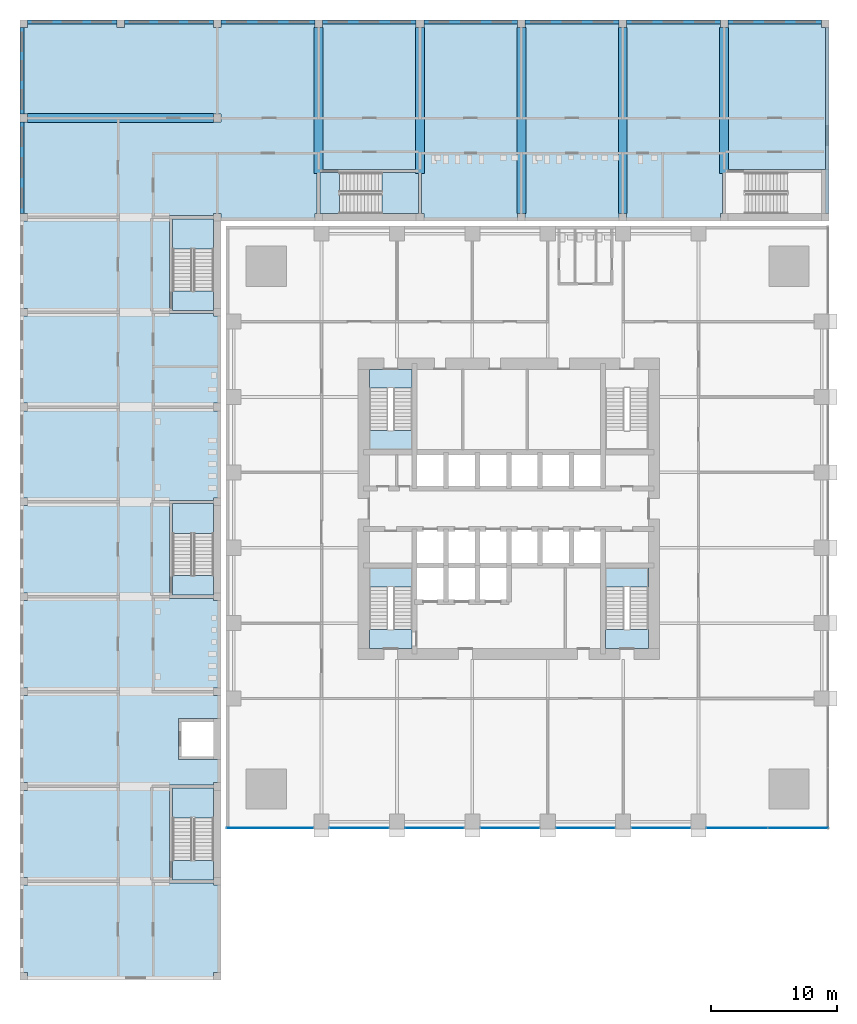
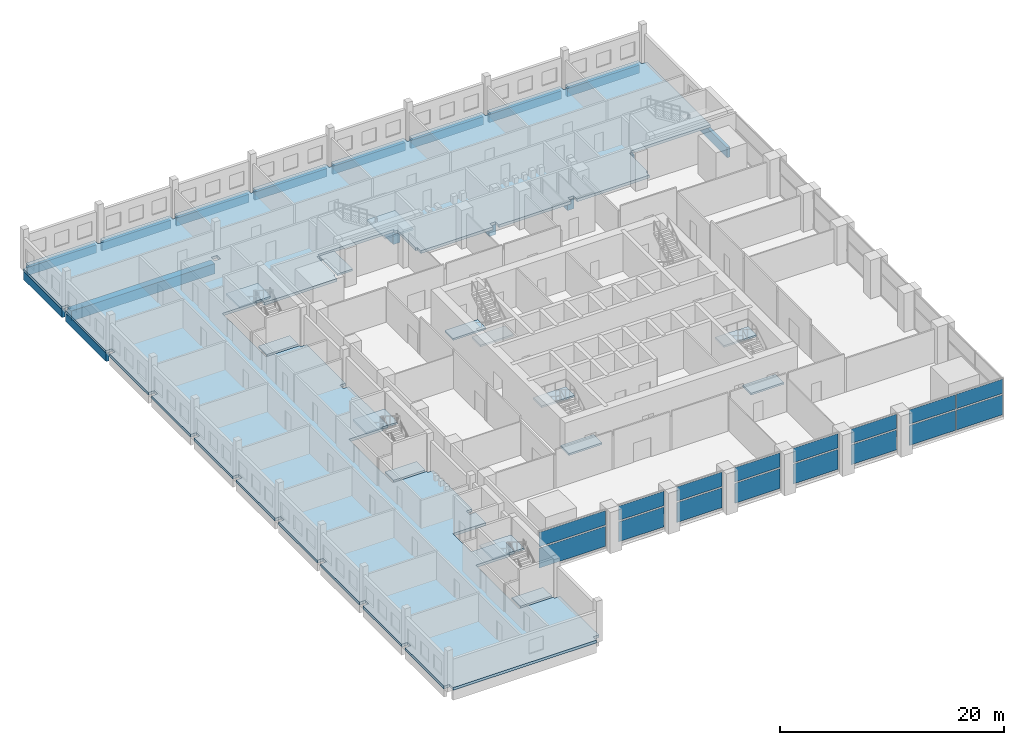
# One storey, part 8 of 25: 17 beams, 16 plates, 15 slabs, 14 elements without a shape of their own.
"""IFC4 building model written with IfcOpenShell, lengths in metres."""

import ifcopenshell
import ifcopenshell.guid

model = None  # the IFC model being written
_history = None  # IfcOwnerHistory: only IFC2X3 demands one
_inside = {}  # id of a spatial element -> (the spatial element, [elements in it])
_under = {}  # id of a project, library or spatial element -> (it, [spatial elements below it])
_declared = {}  # id of a project -> (the project, [libraries it declares])
_typed = {}  # id of a type object -> (the type object, [elements of that type])
_made_of = {}  # id of a material, layer set ... -> (it, [elements and type objects made of it])


def new_model(schema):
    """Start an empty IFC model of exactly this schema.

    Asked for "IFC4X3", IfcOpenShell would pick the latest addendum, in which some entities
    have other attributes; the version numbers below select the first issue.
    IFC2X3 requires an IfcOwnerHistory on every rooted entity: one is made here for all.
    """
    global model, _history
    if schema == "IFC4X3":
        model = ifcopenshell.file(schema_version=(4, 3, 0, 0))
    else:
        model = ifcopenshell.file(schema=schema)
    _inside.clear()
    _under.clear()
    _declared.clear()
    _typed.clear()
    _made_of.clear()
    _history = None
    if model.schema == "IFC2X3":
        org = make("IfcOrganization", Name="unknown")
        user = make(
            "IfcPersonAndOrganization",
            ThePerson=make("IfcPerson", FamilyName="unknown"),
            TheOrganization=org,
        )
        app = make(
            "IfcApplication",
            ApplicationDeveloper=org,
            Version="unknown",
            ApplicationFullName="unknown",
            ApplicationIdentifier="unknown",
        )
        _history = make(
            "IfcOwnerHistory",
            OwningUser=user,
            OwningApplication=app,
            ChangeAction="ADDED",
            CreationDate=0,
        )
    return model


def make(cls, **values):
    """One entity of the class cls with the attributes given. An attribute that is None is left unset."""
    return model.create_entity(
        cls, **{name: value for name, value in values.items() if value is not None}
    )


def rooted(cls, **values):
    """An entity with a GlobalId (a new one), such as an element, a storey or a relation."""
    return make(cls, GlobalId=ifcopenshell.guid.new(), OwnerHistory=_history, **values)


def si_unit(unit_type, name, prefix=None):
    """IfcSIUnit, for example si_unit("LENGTHUNIT", "METRE", prefix="MILLI")."""
    return make("IfcSIUnit", UnitType=unit_type, Prefix=prefix, Name=name)


def assignment(units):
    """IfcUnitAssignment: the units of a project."""
    return None if units is None else make("IfcUnitAssignment", Units=units)


def point(xyz):
    """IfcCartesianPoint."""
    return None if xyz is None else make("IfcCartesianPoint", Coordinates=xyz)


def direction(xyz):
    """IfcDirection."""
    return None if xyz is None else make("IfcDirection", DirectionRatios=xyz)


def frame(location, z_axis=None, x_axis=None):
    """IfcAxis2Placement3D, a coordinate frame: its origin and axes. An axis left out is left unset."""
    return make(
        "IfcAxis2Placement3D",
        Location=point(location),
        Axis=direction(z_axis),
        RefDirection=direction(x_axis),
    )


def frame_2d(location, x_axis=None):
    """IfcAxis2Placement2D, a coordinate frame in the plane: its origin and x axis."""
    return make(
        "IfcAxis2Placement2D", Location=point(location), RefDirection=direction(x_axis)
    )


def origin():
    """The frame at (0, 0, 0) with its axes left unset."""
    return frame((0.0, 0.0, 0.0))


def origin_2d():
    """The frame at (0, 0) in the plane with its x axis left unset."""
    return frame_2d((0.0, 0.0))


def place(relative_to, where):
    """IfcLocalPlacement: puts the frame where relative to a parent placement (None: the world)."""
    return make(
        "IfcLocalPlacement", PlacementRelTo=relative_to, RelativePlacement=where
    )


def context(
    kind, dimensions, precision=None, world=None, true_north=None, identifier=None
):
    """IfcGeometricRepresentationContext, for example the 3D "Model" context."""
    return make(
        "IfcGeometricRepresentationContext",
        ContextIdentifier=identifier,
        ContextType=kind,
        CoordinateSpaceDimension=dimensions,
        Precision=precision,
        WorldCoordinateSystem=world,
        TrueNorth=true_north,
    )


def subcontext(parent, identifier, kind, view, scale=None):
    """IfcGeometricRepresentationSubContext, for example "Body" below "Model"."""
    return make(
        "IfcGeometricRepresentationSubContext",
        ContextIdentifier=identifier,
        ContextType=kind,
        ParentContext=parent,
        TargetScale=scale,
        TargetView=view,
    )


def project(units=None, contexts=None):
    """IfcProject with its units and contexts."""
    return rooted(
        "IfcProject",
        Name="project",
        RepresentationContexts=contexts,
        UnitsInContext=assignment(units),
    )


def spatial(cls, under=None, at=None, **own):
    """A site, building, storey or space (cls), placed at a placement, below another one or the project."""
    s = rooted(cls, ObjectPlacement=at, **own)
    if under is not None:
        _under.setdefault(under.id(), (under, []))[1].append(s)
    return s


def polyline(points):
    """IfcPolyline through the points."""
    return make("IfcPolyline", Points=[point(p) for p in points])


def profile(cls, at=None, kind="AREA", **sizes):
    """A parametric profile (cls). Its sizes go by their IFC names, for example OverallWidth=200.0."""
    return make(cls, ProfileType=kind, Position=at, **sizes)


def rectangle(**sizes):
    """IfcRectangleProfileDef."""
    return profile("IfcRectangleProfileDef", **sizes)


def outline(outer, holes=None, kind="AREA"):
    """IfcArbitraryClosedProfileDef: a profile drawn as a closed curve; with holes, ...WithVoids."""
    if holes is None:
        return make("IfcArbitraryClosedProfileDef", ProfileType=kind, OuterCurve=outer)
    return make(
        "IfcArbitraryProfileDefWithVoids",
        ProfileType=kind,
        OuterCurve=outer,
        InnerCurves=holes,
    )


def extrude(swept, where, along, depth):
    """IfcExtrudedAreaSolid: the profile swept, set in the frame where, extruded along a direction by depth."""
    return make(
        "IfcExtrudedAreaSolid",
        SweptArea=swept,
        Position=where,
        ExtrudedDirection=direction(along),
        Depth=depth,
    )


def shape(context_of_items, identifier, shape_type, items):
    """IfcShapeRepresentation: the items that make up one representation, for example the "Body"."""
    return make(
        "IfcShapeRepresentation",
        ContextOfItems=context_of_items,
        RepresentationIdentifier=identifier,
        RepresentationType=shape_type,
        Items=items,
    )


def material(Name=None, Category=None):
    """IfcMaterial."""
    return make("IfcMaterial", Name=Name, Category=Category)


def layer(
    of_material, thickness, ventilated=None, Name=None, Category=None, Priority=None
):
    """IfcMaterialLayer: one layer of a wall or slab, of a material (None: an air gap)."""
    return make(
        "IfcMaterialLayer",
        Material=of_material,
        LayerThickness=thickness,
        IsVentilated=ventilated,
        Name=Name,
        Category=Category,
        Priority=Priority,
    )


def layer_set(layers, Name=None):
    """IfcMaterialLayerSet."""
    return make("IfcMaterialLayerSet", MaterialLayers=layers, LayerSetName=Name)


def material_profile(
    of_material, cross_section, Name=None, Category=None, Priority=None
):
    """IfcMaterialProfile: a cross section and its material."""
    return make(
        "IfcMaterialProfile",
        Name=Name,
        Material=of_material,
        Profile=cross_section,
        Priority=Priority,
        Category=Category,
    )


def profile_set(profiles, Name=None, composite=None):
    """IfcMaterialProfileSet."""
    return make(
        "IfcMaterialProfileSet",
        Name=Name,
        MaterialProfiles=profiles,
        CompositeProfile=composite,
    )


def made_of(thing, what):
    """Note that an element or type object is made of a material, layer set ...; save() writes the relation."""
    if what is not None:
        _made_of.setdefault(what.id(), (what, []))[1].append(thing)
    return thing


def type_object(cls, material=None, **own):
    """A type object (cls), such as IfcWallType, which elements share."""
    return made_of(rooted(cls, **own), material)


def element(
    cls,
    number,
    at=None,
    inside=None,
    cuts=None,
    type_object=None,
    material=None,
    context=None,
    identifier="Body",
    shape_type=None,
    held_by="IfcProductDefinitionShape",
    body=None,
    shapes=None,
    **own,
):
    """One element of the class cls, such as IfcWall. Its Tag is "e" and its number.

    at: its placement. inside: the storey or other place that contains it. cuts: it is an
    opening in that element (IfcRelVoidsElement). A single representation is given by context,
    identifier, shape_type and body (its items); several are given by shapes. held_by: the class
    of the entity that holds the representations. save() writes the other relations.
    """
    e = rooted(cls, Tag="e%d" % number, ObjectPlacement=at, **own)
    if body is not None:
        shapes = [shape(context, identifier, shape_type, body)]
    if shapes is not None:
        e.Representation = make(held_by, Representations=shapes)
    if inside is not None:
        _inside.setdefault(inside.id(), (inside, []))[1].append(e)
    if cuts is not None:
        rooted(
            "IfcRelVoidsElement", RelatingBuildingElement=cuts, RelatedOpeningElement=e
        )
    if type_object is not None:
        _typed.setdefault(type_object.id(), (type_object, []))[1].append(e)
    return made_of(e, material)


def aggregate(whole, parts):
    """IfcRelAggregates: a whole, such as a stair, and the parts it consists of."""
    return rooted("IfcRelAggregates", RelatingObject=whole, RelatedObjects=parts)


def save(model, path):
    """Write the relations noted so far, then the file.

    IfcRelAggregates (storeys below a building ...), IfcRelContainedInSpatialStructure (elements
    in a storey), IfcRelDefinesByType, IfcRelAssociatesMaterial and IfcRelDeclares: one each for
    every whole, place, type object, material and project.
    """
    for whole, parts in _under.values():
        aggregate(whole, parts)
    for where, things in _inside.values():
        rooted(
            "IfcRelContainedInSpatialStructure",
            RelatedElements=things,
            RelatingStructure=where,
        )
    for kind, things in _typed.values():
        rooted("IfcRelDefinesByType", RelatedObjects=things, RelatingType=kind)
    for what, things in _made_of.values():
        rooted("IfcRelAssociatesMaterial", RelatedObjects=things, RelatingMaterial=what)
    for by, libraries in _declared.values():
        rooted("IfcRelDeclares", RelatingContext=by, RelatedDefinitions=libraries)
    model.write(path)


model = new_model("IFC4")

# Units and contexts
model_context = context("Model", 3, precision=1e-05, world=origin(), true_north=direction((0.0, 1.0)))
body_context = subcontext(model_context, "Body", "Model", "MODEL_VIEW")
ifc_project = project(units=[si_unit("LENGTHUNIT", "METRE"), si_unit("AREAUNIT", "SQUARE_METRE"), si_unit("VOLUMEUNIT", "CUBIC_METRE"), si_unit("PLANEANGLEUNIT", "RADIAN"), si_unit("MASSUNIT", "GRAM", prefix="KILO")], contexts=[model_context])

# Site, building, storey
site_placement = place(None, origin())
site = spatial("IfcSite", under=ifc_project, at=site_placement, CompositionType="ELEMENT")
building_placement = place(site_placement, origin())
building = spatial("IfcBuilding", under=site, at=building_placement, Name="Amberfall Residences", CompositionType="ELEMENT")
storey_placement = place(building_placement, frame((0.0, 0.0, 14.5)))
storey = spatial("IfcBuildingStorey", under=building, at=storey_placement, Name="L03", CompositionType="ELEMENT", Elevation=14.5)

# Beams
ifc_material_1 = material(Name="Concrete C40", Category="concrete")
ifc_material_profile_1 = material_profile(ifc_material_1, rectangle(XDim=0.699951171875, YDim=1.10009765625, at=origin_2d()), Name="School beam 700 x 1100 C40")
ifc_profile_set_1 = profile_set([ifc_material_profile_1], Name="Concrete C40")
beam_type_1 = type_object("IfcBeamType", Name="School beam 700 x 1100 C40", PredefinedType="BEAM", material=ifc_profile_set_1)
beam_1_placement = place(storey_placement, frame((36.199951171875, 76.60009765625, -0.85009765625), z_axis=(1.0, 0.0, 0.0), x_axis=(0.0, 1.0, 0.0)))
element("IfcBeam", 1, at=beam_1_placement, inside=storey, type_object=beam_type_1, Name="TW9", PredefinedType="BEAM", context=body_context, shape_type="SweptSolid", body=[
    extrude(rectangle(XDim=0.699951171875, YDim=1.10009765625, at=origin_2d()), origin(), (0.0, 0.0, 1.0), 14.800048828125),
])
for number, where, z_axis, x_axis, name in (
    (2, (59.366943359375, 72.199951171875, -0.85009765625), (0.0, 1.0, 0.0), (-1.0, 0.0, 0.0), "TN1"),
    (3, (67.43310546875, 72.199951171875, -0.85009765625), (0.0, 1.0, 0.0), (-1.0, 0.0, 0.0), "TN2"),
):
    element("IfcBeam", number, at=place(storey_placement, frame(where, z_axis=z_axis, x_axis=x_axis)), inside=storey, type_object=beam_type_1, Name=name, PredefinedType="BEAM", context=body_context, shape_type="SweptSolid", body=[
        extrude(rectangle(XDim=0.699951171875, YDim=1.10009765625, at=origin_2d()), origin(), (0.0, 0.0, 1.0), 11.60009765625),
    ])
for number, where, z_axis, x_axis, name in (
    (4, (75.5, 69.0, -0.85009765625), (0.0, 1.0, 0.0), (-1.0, 0.0, 0.0), "TN3"),
    (5, (83.56689453125, 69.0, -0.85009765625), (0.0, 1.0, 0.0), (-1.0, 0.0, 0.0), "TN4"),
):
    element("IfcBeam", number, at=place(storey_placement, frame(where, z_axis=z_axis, x_axis=x_axis)), inside=storey, type_object=beam_type_1, Name=name, PredefinedType="BEAM", context=body_context, shape_type="SweptSolid", body=[
        extrude(rectangle(XDim=0.699951171875, YDim=1.10009765625, at=origin_2d()), origin(), (0.0, 0.0, 1.0), 14.800048828125),
    ])
beam_2_placement = place(storey_placement, frame((91.633056640625, 72.199951171875, -0.85009765625), z_axis=(0.0, 1.0, 0.0), x_axis=(-1.0, 0.0, 0.0)))
element("IfcBeam", 6, at=beam_2_placement, inside=storey, type_object=beam_type_1, Name="TN5", PredefinedType="BEAM", context=body_context, shape_type="SweptSolid", body=[
    extrude(rectangle(XDim=0.699951171875, YDim=1.10009765625, at=origin_2d()), origin(), (0.0, 0.0, 1.0), 11.60009765625),
])
ifc_material_profile_2 = material_profile(ifc_material_1, rectangle(XDim=0.300048828125, YDim=0.89990234375, at=origin_2d()), Name="School edge beam 300 x 900 C40")
ifc_profile_set_2 = profile_set([ifc_material_profile_2], Name="Concrete C40")
beam_type_2 = type_object("IfcBeamType", Name="School edge beam 300 x 900 C40", PredefinedType="BEAM", material=ifc_profile_set_2)
beam_3_placement = place(storey_placement, frame((35.75, 69.0, -0.75), z_axis=(0.0, 1.0, 0.0), x_axis=(-1.0, 0.0, 0.0)))
element("IfcBeam", 7, at=beam_3_placement, inside=storey, type_object=beam_type_2, Name="GW8", PredefinedType="BEAM", context=body_context, shape_type="SweptSolid", body=[
    extrude(rectangle(XDim=0.300048828125, YDim=0.89990234375, at=origin_2d()), origin(), (0.0, 0.0, 1.0), 7.300048828125),
])
beam_4_placement = place(storey_placement, frame((35.75, 76.89990234375, -0.75), z_axis=(0.0, 1.0, 0.0), x_axis=(-1.0, 0.0, 0.0)))
element("IfcBeam", 8, at=beam_4_placement, inside=storey, type_object=beam_type_2, Name="GW9", PredefinedType="BEAM", context=body_context, shape_type="SweptSolid", body=[
    extrude(rectangle(XDim=0.300048828125, YDim=0.89990234375, at=origin_2d()), origin(), (0.0, 0.0, 1.0), 6.900146484375),
])
for number, where, z_axis, x_axis, name in (
    (9, (36.199951171875, 84.25, -0.75), (1.0, 0.0, 0.0), (0.0, 1.0, 0.0), "GN0"),
    (10, (43.89990234375, 84.25, -0.75), (1.0, 0.0, 0.0), (0.0, 1.0, 0.0), "GN1"),
):
    element("IfcBeam", number, at=place(storey_placement, frame(where, z_axis=z_axis, x_axis=x_axis)), inside=storey, type_object=beam_type_2, Name=name, PredefinedType="BEAM", context=body_context, shape_type="SweptSolid", body=[
        extrude(rectangle(XDim=0.300048828125, YDim=0.89990234375, at=origin_2d()), origin(), (0.0, 0.0, 1.0), 7.10009765625),
    ])
beam_5_placement = place(storey_placement, frame((51.60009765625, 84.25, -0.75), z_axis=(1.0, 0.0, 0.0), x_axis=(0.0, 1.0, 0.0)))
element("IfcBeam", 11, at=beam_5_placement, inside=storey, type_object=beam_type_2, Name="GN2", PredefinedType="BEAM", context=body_context, shape_type="SweptSolid", body=[
    extrude(rectangle(XDim=0.300048828125, YDim=0.89990234375, at=origin_2d()), origin(), (0.0, 0.0, 1.0), 7.466796875),
])
beam_6_placement = place(storey_placement, frame((59.6669921875, 84.25, -0.75), z_axis=(1.0, 0.0, 0.0), x_axis=(0.0, 1.0, 0.0)))
element("IfcBeam", 12, at=beam_6_placement, inside=storey, type_object=beam_type_2, Name="GN3", PredefinedType="BEAM", context=body_context, shape_type="SweptSolid", body=[
    extrude(rectangle(XDim=0.300048828125, YDim=0.89990234375, at=origin_2d()), origin(), (0.0, 0.0, 1.0), 7.466064453125),
])
for number, where, z_axis, x_axis, name in (
    (13, (67.73291015625, 84.25, -0.75), (1.0, 0.0, 0.0), (0.0, 1.0, 0.0), "GN4"),
    (14, (75.800048828125, 84.25, -0.75), (1.0, 0.0, 0.0), (0.0, 1.0, 0.0), "GN5"),
):
    element("IfcBeam", number, at=place(storey_placement, frame(where, z_axis=z_axis, x_axis=x_axis)), inside=storey, type_object=beam_type_2, Name=name, PredefinedType="BEAM", context=body_context, shape_type="SweptSolid", body=[
        extrude(rectangle(XDim=0.300048828125, YDim=0.89990234375, at=origin_2d()), origin(), (0.0, 0.0, 1.0), 7.467041015625),
    ])
beam_7_placement = place(storey_placement, frame((83.866943359375, 84.25, -0.75), z_axis=(1.0, 0.0, 0.0), x_axis=(0.0, 1.0, 0.0)))
element("IfcBeam", 15, at=beam_7_placement, inside=storey, type_object=beam_type_2, Name="GN6", PredefinedType="BEAM", context=body_context, shape_type="SweptSolid", body=[
    extrude(rectangle(XDim=0.300048828125, YDim=0.89990234375, at=origin_2d()), origin(), (0.0, 0.0, 1.0), 7.466064453125),
])
beam_8_placement = place(storey_placement, frame((91.93310546875, 84.25, -0.75), z_axis=(1.0, 0.0, 0.0), x_axis=(0.0, 1.0, 0.0)))
element("IfcBeam", 16, at=beam_8_placement, inside=storey, type_object=beam_type_2, Name="GN7", PredefinedType="BEAM", context=body_context, shape_type="SweptSolid", body=[
    extrude(rectangle(XDim=0.300048828125, YDim=0.89990234375, at=origin_2d()), origin(), (0.0, 0.0, 1.0), 7.466796875),
])
ifc_material_profile_3 = material_profile(ifc_material_1, rectangle(XDim=0.300048828125, YDim=1.10009765625, at=origin_2d()), Name="School end beam 300 x 1100 C40")
ifc_profile_set_3 = profile_set([ifc_material_profile_3], Name="Concrete C40")
beam_type_3 = type_object("IfcBeamType", Name="School end beam 300 x 1100 C40", PredefinedType="BEAM", material=ifc_profile_set_3)
beam_9_placement = place(storey_placement, frame((99.85009765625, 69.0, -0.85009765625), z_axis=(0.0, 1.0, 0.0), x_axis=(-1.0, 0.0, 0.0)))
element("IfcBeam", 17, at=beam_9_placement, inside=storey, type_object=beam_type_3, Name="EE", PredefinedType="BEAM", context=body_context, shape_type="SweptSolid", body=[
    extrude(rectangle(XDim=0.300048828125, YDim=1.10009765625, at=origin_2d()), origin(), (0.0, 0.0, 1.0), 14.800048828125),
])

# Curtain wall, plates
ifc_material_2 = material(Name="Bronze anodised aluminium and glass", Category="aluminium")
curtain_wall_type = type_object("IfcCurtainWallType", Name="Curtain wall CW4 podium storefront", PredefinedType="USERDEFINED", material=ifc_material_2)
curtain_wall_1_placement = place(storey_placement, origin())
curtain_wall_1 = element("IfcCurtainWall", 18, at=curtain_wall_1_placement, inside=storey, type_object=curtain_wall_type, Name="Storefront L03 S1", ObjectType="UNITISED CURTAIN WALL", PredefinedType="USERDEFINED")
ifc_material_3 = material(Name="Clear toughened glazing", Category="glass")
ifc_layer_1 = layer(ifc_material_3, 0.028076171875)
ifc_layer_set_1 = layer_set([ifc_layer_1], Name="CW4 panel 28 glazing")
plate_type = type_object("IfcPlateType", Name="CW4 panel 28 glazing", PredefinedType="CURTAIN_PANEL", material=ifc_layer_set_1)
plate_1_placement = place(storey_placement, frame((55.5, 20.10009765625, 0.14990234375), z_axis=(0.0, 0.0, 1.0), x_axis=(1.0, 0.0, 0.0)))
plate_1 = element("IfcPlate", 19, at=plate_1_placement, type_object=plate_type, Name="CW4 panel 1.1", PredefinedType="CURTAIN_PANEL", context=body_context, shape_type="SweptSolid", body=[
    extrude(rectangle(XDim=6.860107421875, YDim=0.028076171875, at=origin_2d()), origin(), (0.0, 0.0, 1.0), 2.175048828125),
])
plate_2_placement = place(storey_placement, frame((55.5, 20.10009765625, 2.47509765625), z_axis=(0.0, 0.0, 1.0), x_axis=(1.0, 0.0, 0.0)))
plate_2 = element("IfcPlate", 20, at=plate_2_placement, type_object=plate_type, Name="CW4 panel 1.2", PredefinedType="CURTAIN_PANEL", context=body_context, shape_type="SweptSolid", body=[
    extrude(rectangle(XDim=6.860107421875, YDim=0.028076171875, at=origin_2d()), origin(), (0.0, 0.0, 1.0), 1.574951171875),
])
aggregate(curtain_wall_1, [plate_1, plate_2])

curtain_wall_2_placement = place(storey_placement, origin())
curtain_wall_2 = element("IfcCurtainWall", 21, at=curtain_wall_2_placement, inside=storey, type_object=curtain_wall_type, Name="Storefront L03 S2", ObjectType="UNITISED CURTAIN WALL", PredefinedType="USERDEFINED")
plate_3_placement = place(storey_placement, frame((62.60009765625, 20.10009765625, 0.14990234375), z_axis=(0.0, 0.0, 1.0), x_axis=(1.0, 0.0, 0.0)))
plate_3 = element("IfcPlate", 22, at=plate_3_placement, type_object=plate_type, Name="CW4 panel 1.1", PredefinedType="CURTAIN_PANEL", context=body_context, shape_type="SweptSolid", body=[
    extrude(rectangle(XDim=4.659912109375, YDim=0.028076171875, at=origin_2d()), origin(), (0.0, 0.0, 1.0), 2.175048828125),
])
plate_4_placement = place(storey_placement, frame((62.60009765625, 20.10009765625, 2.47509765625), z_axis=(0.0, 0.0, 1.0), x_axis=(1.0, 0.0, 0.0)))
plate_4 = element("IfcPlate", 23, at=plate_4_placement, type_object=plate_type, Name="CW4 panel 1.2", PredefinedType="CURTAIN_PANEL", context=body_context, shape_type="SweptSolid", body=[
    extrude(rectangle(XDim=4.659912109375, YDim=0.028076171875, at=origin_2d()), origin(), (0.0, 0.0, 1.0), 1.574951171875),
])
aggregate(curtain_wall_2, [plate_3, plate_4])

curtain_wall_3_placement = place(storey_placement, origin())
curtain_wall_3 = element("IfcCurtainWall", 24, at=curtain_wall_3_placement, inside=storey, type_object=curtain_wall_type, Name="Storefront L03 S3", ObjectType="UNITISED CURTAIN WALL", PredefinedType="USERDEFINED")
plate_5_placement = place(storey_placement, frame((68.60009765625, 20.10009765625, 0.14990234375), z_axis=(0.0, 0.0, 1.0), x_axis=(1.0, 0.0, 0.0)))
plate_5 = element("IfcPlate", 25, at=plate_5_placement, type_object=plate_type, Name="CW4 panel 1.1", PredefinedType="CURTAIN_PANEL", context=body_context, shape_type="SweptSolid", body=[
    extrude(rectangle(XDim=4.659912109375, YDim=0.028076171875, at=origin_2d()), origin(), (0.0, 0.0, 1.0), 2.175048828125),
])
plate_6_placement = place(storey_placement, frame((68.60009765625, 20.10009765625, 2.47509765625), z_axis=(0.0, 0.0, 1.0), x_axis=(1.0, 0.0, 0.0)))
plate_6 = element("IfcPlate", 26, at=plate_6_placement, type_object=plate_type, Name="CW4 panel 1.2", PredefinedType="CURTAIN_PANEL", context=body_context, shape_type="SweptSolid", body=[
    extrude(rectangle(XDim=4.659912109375, YDim=0.028076171875, at=origin_2d()), origin(), (0.0, 0.0, 1.0), 1.574951171875),
])
aggregate(curtain_wall_3, [plate_5, plate_6])

curtain_wall_4_placement = place(storey_placement, origin())
curtain_wall_4 = element("IfcCurtainWall", 27, at=curtain_wall_4_placement, inside=storey, type_object=curtain_wall_type, Name="Storefront L03 S4", ObjectType="UNITISED CURTAIN WALL", PredefinedType="USERDEFINED")
plate_7_placement = place(storey_placement, frame((74.60009765625, 20.10009765625, 0.14990234375), z_axis=(0.0, 0.0, 1.0), x_axis=(1.0, 0.0, 0.0)))
plate_7 = element("IfcPlate", 28, at=plate_7_placement, type_object=plate_type, Name="CW4 panel 1.1", PredefinedType="CURTAIN_PANEL", context=body_context, shape_type="SweptSolid", body=[
    extrude(rectangle(XDim=4.659912109375, YDim=0.028076171875, at=origin_2d()), origin(), (0.0, 0.0, 1.0), 2.175048828125),
])
plate_8_placement = place(storey_placement, frame((74.60009765625, 20.10009765625, 2.47509765625), z_axis=(0.0, 0.0, 1.0), x_axis=(1.0, 0.0, 0.0)))
plate_8 = element("IfcPlate", 29, at=plate_8_placement, type_object=plate_type, Name="CW4 panel 1.2", PredefinedType="CURTAIN_PANEL", context=body_context, shape_type="SweptSolid", body=[
    extrude(rectangle(XDim=4.659912109375, YDim=0.028076171875, at=origin_2d()), origin(), (0.0, 0.0, 1.0), 1.574951171875),
])
aggregate(curtain_wall_4, [plate_7, plate_8])

curtain_wall_5_placement = place(storey_placement, origin())
curtain_wall_5 = element("IfcCurtainWall", 30, at=curtain_wall_5_placement, inside=storey, type_object=curtain_wall_type, Name="Storefront L03 S5", ObjectType="UNITISED CURTAIN WALL", PredefinedType="USERDEFINED")
plate_9_placement = place(storey_placement, frame((80.60009765625, 20.10009765625, 0.14990234375), z_axis=(0.0, 0.0, 1.0), x_axis=(1.0, 0.0, 0.0)))
plate_9 = element("IfcPlate", 31, at=plate_9_placement, type_object=plate_type, Name="CW4 panel 1.1", PredefinedType="CURTAIN_PANEL", context=body_context, shape_type="SweptSolid", body=[
    extrude(rectangle(XDim=4.659912109375, YDim=0.028076171875, at=origin_2d()), origin(), (0.0, 0.0, 1.0), 2.175048828125),
])
plate_10_placement = place(storey_placement, frame((80.60009765625, 20.10009765625, 2.47509765625), z_axis=(0.0, 0.0, 1.0), x_axis=(1.0, 0.0, 0.0)))
plate_10 = element("IfcPlate", 32, at=plate_10_placement, type_object=plate_type, Name="CW4 panel 1.2", PredefinedType="CURTAIN_PANEL", context=body_context, shape_type="SweptSolid", body=[
    extrude(rectangle(XDim=4.659912109375, YDim=0.028076171875, at=origin_2d()), origin(), (0.0, 0.0, 1.0), 1.574951171875),
])
aggregate(curtain_wall_5, [plate_9, plate_10])

curtain_wall_6_placement = place(storey_placement, origin())
curtain_wall_6 = element("IfcCurtainWall", 33, at=curtain_wall_6_placement, inside=storey, type_object=curtain_wall_type, Name="Storefront L03 S6", ObjectType="UNITISED CURTAIN WALL", PredefinedType="USERDEFINED")
plate_11_placement = place(storey_placement, frame((86.60009765625, 20.10009765625, 0.14990234375), z_axis=(0.0, 0.0, 1.0), x_axis=(1.0, 0.0, 0.0)))
plate_11 = element("IfcPlate", 34, at=plate_11_placement, type_object=plate_type, Name="CW4 panel 1.1", PredefinedType="CURTAIN_PANEL", context=body_context, shape_type="SweptSolid", body=[
    extrude(rectangle(XDim=4.659912109375, YDim=0.028076171875, at=origin_2d()), origin(), (0.0, 0.0, 1.0), 2.175048828125),
])
plate_12_placement = place(storey_placement, frame((86.60009765625, 20.10009765625, 2.47509765625), z_axis=(0.0, 0.0, 1.0), x_axis=(1.0, 0.0, 0.0)))
plate_12 = element("IfcPlate", 35, at=plate_12_placement, type_object=plate_type, Name="CW4 panel 1.2", PredefinedType="CURTAIN_PANEL", context=body_context, shape_type="SweptSolid", body=[
    extrude(rectangle(XDim=4.659912109375, YDim=0.028076171875, at=origin_2d()), origin(), (0.0, 0.0, 1.0), 1.574951171875),
])
aggregate(curtain_wall_6, [plate_11, plate_12])

curtain_wall_7_placement = place(storey_placement, origin())
curtain_wall_7 = element("IfcCurtainWall", 36, at=curtain_wall_7_placement, inside=storey, type_object=curtain_wall_type, Name="Storefront L03 S7", ObjectType="UNITISED CURTAIN WALL", PredefinedType="USERDEFINED")
plate_13_placement = place(storey_placement, frame((92.66748046875, 20.10009765625, 0.14990234375), z_axis=(0.0, 0.0, 1.0), x_axis=(1.0, 0.0, 0.0)))
plate_13 = element("IfcPlate", 37, at=plate_13_placement, type_object=plate_type, Name="CW4 panel 1.1", PredefinedType="CURTAIN_PANEL", context=body_context, shape_type="SweptSolid", body=[
    extrude(rectangle(XDim=4.794921875, YDim=0.028076171875, at=origin_2d()), origin(), (0.0, 0.0, 1.0), 2.175048828125),
])
plate_14_placement = place(storey_placement, frame((92.66748046875, 20.10009765625, 2.47509765625), z_axis=(0.0, 0.0, 1.0), x_axis=(1.0, 0.0, 0.0)))
plate_14 = element("IfcPlate", 38, at=plate_14_placement, type_object=plate_type, Name="CW4 panel 1.2", PredefinedType="CURTAIN_PANEL", context=body_context, shape_type="SweptSolid", body=[
    extrude(rectangle(XDim=4.794921875, YDim=0.028076171875, at=origin_2d()), origin(), (0.0, 0.0, 1.0), 1.574951171875),
])
plate_15_placement = place(storey_placement, frame((97.532470703125, 20.10009765625, 0.14990234375), z_axis=(0.0, 0.0, 1.0), x_axis=(1.0, 0.0, 0.0)))
plate_15 = element("IfcPlate", 39, at=plate_15_placement, type_object=plate_type, Name="CW4 panel 2.1", PredefinedType="CURTAIN_PANEL", context=body_context, shape_type="SweptSolid", body=[
    extrude(rectangle(XDim=4.794921875, YDim=0.028076171875, at=origin_2d()), origin(), (0.0, 0.0, 1.0), 2.175048828125),
])
plate_16_placement = place(storey_placement, frame((97.532470703125, 20.10009765625, 2.47509765625), z_axis=(0.0, 0.0, 1.0), x_axis=(1.0, 0.0, 0.0)))
plate_16 = element("IfcPlate", 40, at=plate_16_placement, type_object=plate_type, Name="CW4 panel 2.2", PredefinedType="CURTAIN_PANEL", context=body_context, shape_type="SweptSolid", body=[
    extrude(rectangle(XDim=4.794921875, YDim=0.028076171875, at=origin_2d()), origin(), (0.0, 0.0, 1.0), 1.574951171875),
])
aggregate(curtain_wall_7, [plate_13, plate_14, plate_15, plate_16])

# Slab
ifc_layer_2 = layer(ifc_material_1, 0.300048828125)
ifc_layer_set_2 = layer_set([ifc_layer_2], Name="School floor slab 300 C40")
slab_type_1 = type_object("IfcSlabType", Name="School floor slab 300 C40", PredefinedType="FLOOR", material=ifc_layer_set_2)
slab_1_placement = place(storey_placement, frame((0.0, 0.0, -0.300048828125)))
element("IfcSlab", 41, at=slab_1_placement, inside=storey, type_object=slab_type_1, Name="School floor L03", PredefinedType="FLOOR", context=body_context, shape_type="SweptSolid", body=[
    extrude(outline(polyline([(36.199951171875, 8.60009765625), (36.199951171875, 8.0), (51.0, 8.0), (51.0, 8.60009765625), (51.60009765625, 8.60009765625), (51.60009765625, 15.550048828125), (51.0, 15.550048828125), (51.0, 15.72509765625), (47.5, 15.72509765625), (47.5, 15.97509765625), (47.5, 23.27490234375), (47.5, 23.52490234375), (51.0, 23.52490234375), (51.0, 23.699951171875), (51.60009765625, 23.699951171875), (51.60009765625, 25.550048828125), (51.0, 25.550048828125), (48.199951171875, 25.550048828125), (48.199951171875, 25.675048828125), (48.199951171875, 25.800048828125), (48.199951171875, 28.550048828125), (48.199951171875, 28.675048828125), (48.199951171875, 28.800048828125), (51.0, 28.800048828125), (51.60009765625, 28.800048828125), (51.60009765625, 30.64990234375), (51.0, 30.64990234375), (51.0, 31.25), (51.60009765625, 31.25), (51.60009765625, 38.199951171875), (51.0, 38.199951171875), (51.0, 38.375), (47.5, 38.375), (47.5, 38.625), (47.5, 45.925048828125), (47.5, 46.175048828125), (51.0, 46.175048828125), (51.0, 46.35009765625), (51.60009765625, 46.35009765625), (51.60009765625, 53.300048828125), (51.0, 53.300048828125), (51.0, 53.89990234375), (51.60009765625, 53.89990234375), (51.60009765625, 60.85009765625), (51.0, 60.85009765625), (51.0, 61.02490234375), (47.5, 61.02490234375), (47.5, 61.27490234375), (47.5, 68.574951171875), (47.5, 68.824951171875), (51.0, 68.824951171875), (51.0, 69.0), (51.60009765625, 69.0), (51.60009765625, 68.39990234375), (59.06689453125, 68.39990234375), (59.06689453125, 69.0), (59.241943359375, 69.0), (59.241943359375, 72.25), (59.491943359375, 72.25), (59.491943359375, 72.5), (67.30810546875, 72.5), (67.30810546875, 72.25), (67.55810546875, 72.25), (67.55810546875, 69.0), (67.73291015625, 69.0), (67.73291015625, 68.39990234375), (75.199951171875, 68.39990234375), (75.199951171875, 69.0), (75.800048828125, 69.0), (75.800048828125, 68.39990234375), (83.26708984375, 68.39990234375), (83.26708984375, 69.0), (83.866943359375, 69.0), (83.866943359375, 68.39990234375), (91.3330078125, 68.39990234375), (91.3330078125, 69.0), (91.508056640625, 69.0), (91.508056640625, 72.25), (91.758056640625, 72.25), (91.758056640625, 72.5), (99.39990234375, 72.5), (100.0, 72.5), (100.0, 83.800048828125), (99.39990234375, 83.800048828125), (99.39990234375, 84.39990234375), (91.93310546875, 84.39990234375), (91.93310546875, 83.800048828125), (91.3330078125, 83.800048828125), (91.3330078125, 84.39990234375), (83.866943359375, 84.39990234375), (83.866943359375, 83.800048828125), (83.26708984375, 83.800048828125), (83.26708984375, 84.39990234375), (75.800048828125, 84.39990234375), (75.800048828125, 83.800048828125), (75.199951171875, 83.800048828125), (75.199951171875, 84.39990234375), (67.73291015625, 84.39990234375), (67.73291015625, 83.800048828125), (67.133056640625, 83.800048828125), (67.133056640625, 84.39990234375), (59.6669921875, 84.39990234375), (59.6669921875, 83.800048828125), (59.06689453125, 83.800048828125), (59.06689453125, 84.39990234375), (51.60009765625, 84.39990234375), (51.60009765625, 83.800048828125), (51.0, 83.800048828125), (51.0, 84.39990234375), (43.89990234375, 84.39990234375), (43.89990234375, 83.800048828125), (43.300048828125, 83.800048828125), (43.300048828125, 84.39990234375), (36.199951171875, 84.39990234375), (36.199951171875, 83.800048828125), (35.60009765625, 83.800048828125), (35.60009765625, 76.89990234375), (36.199951171875, 76.89990234375), (36.199951171875, 76.300048828125), (35.60009765625, 76.300048828125), (35.60009765625, 69.0), (36.199951171875, 69.0), (36.199951171875, 68.39990234375), (35.60009765625, 68.39990234375), (35.60009765625, 61.449951171875), (36.199951171875, 61.449951171875), (36.199951171875, 60.85009765625), (35.60009765625, 60.85009765625), (35.60009765625, 53.89990234375), (36.199951171875, 53.89990234375), (36.199951171875, 53.300048828125), (35.60009765625, 53.300048828125), (35.60009765625, 46.35009765625), (36.199951171875, 46.35009765625), (36.199951171875, 45.75), (35.60009765625, 45.75), (35.60009765625, 38.800048828125), (36.199951171875, 38.800048828125), (36.199951171875, 38.199951171875), (35.60009765625, 38.199951171875), (35.60009765625, 31.25), (36.199951171875, 31.25), (36.199951171875, 30.64990234375), (35.60009765625, 30.64990234375), (35.60009765625, 23.699951171875), (36.199951171875, 23.699951171875), (36.199951171875, 23.10009765625), (35.60009765625, 23.10009765625), (35.60009765625, 16.14990234375), (36.199951171875, 16.14990234375), (36.199951171875, 15.550048828125), (35.60009765625, 15.550048828125), (35.60009765625, 8.60009765625), (36.199951171875, 8.60009765625)]), holes=[polyline([(51.0, 76.300048828125), (51.0, 76.89990234375), (51.60009765625, 76.89990234375), (51.60009765625, 76.300048828125), (51.0, 76.300048828125)])]), origin(), (0.0, 0.0, 1.0), 0.300048828125),
])

# Stair, slabs
stair_type_1 = type_object("IfcStairType", Name="School stair", PredefinedType="HALF_TURN_STAIR", material=ifc_material_1)
stair_1_placement = place(storey_placement, origin())
stair_1 = element("IfcStair", 42, at=stair_1_placement, inside=storey, type_object=stair_type_1, Name="L03 Stair SS1", PredefinedType="HALF_TURN_STAIR")
ifc_layer_3 = layer(ifc_material_1, 0.199951171875)
ifc_layer_set_3 = layer_set([ifc_layer_3], Name="School stair landing")
slab_type_2 = type_object("IfcSlabType", Name="School stair landing", PredefinedType="LANDING", material=ifc_layer_set_3)
slab_2_placement = place(storey_placement, frame((0.0, 0.0, 2.050048828125)))
slab_2 = element("IfcSlab", 43, at=slab_2_placement, type_object=slab_type_2, Name="SS1 landing 1", PredefinedType="LANDING", context=body_context, shape_type="SweptSolid", body=[
    extrude(outline(polyline([(51.0, 20.885009765625), (51.0, 23.27490234375), (47.75, 23.27490234375), (47.75, 20.885009765625), (51.0, 20.885009765625)])), origin(), (0.0, 0.0, 1.0), 0.199951171875),
])
slab_3_placement = place(storey_placement, frame((0.0, 0.0, -0.199951171875)))
slab_3 = element("IfcSlab", 44, at=slab_3_placement, type_object=slab_type_2, Name="SS1 landing 2", PredefinedType="LANDING", context=body_context, shape_type="SweptSolid", body=[
    extrude(outline(polyline([(51.0, 15.97509765625), (51.0, 17.52490234375), (47.75, 17.52490234375), (47.75, 15.97509765625), (51.0, 15.97509765625)])), origin(), (0.0, 0.0, 1.0), 0.199951171875),
])
aggregate(stair_1, [slab_2, slab_3])

stair_2_placement = place(storey_placement, origin())
stair_2 = element("IfcStair", 45, at=stair_2_placement, inside=storey, type_object=stair_type_1, Name="L03 Stair SS2", PredefinedType="HALF_TURN_STAIR")
slab_4_placement = place(storey_placement, frame((0.0, 0.0, 2.050048828125)))
slab_4 = element("IfcSlab", 46, at=slab_4_placement, type_object=slab_type_2, Name="SS2 landing 1", PredefinedType="LANDING", context=body_context, shape_type="SweptSolid", body=[
    extrude(outline(polyline([(51.0, 43.534912109375), (51.0, 45.925048828125), (47.75, 45.925048828125), (47.75, 43.534912109375), (51.0, 43.534912109375)])), origin(), (0.0, 0.0, 1.0), 0.199951171875),
])
slab_5_placement = place(storey_placement, frame((0.0, 0.0, -0.199951171875)))
slab_5 = element("IfcSlab", 47, at=slab_5_placement, type_object=slab_type_2, Name="SS2 landing 2", PredefinedType="LANDING", context=body_context, shape_type="SweptSolid", body=[
    extrude(outline(polyline([(51.0, 38.625), (51.0, 40.175048828125), (47.75, 40.175048828125), (47.75, 38.625), (51.0, 38.625)])), origin(), (0.0, 0.0, 1.0), 0.199951171875),
])
aggregate(stair_2, [slab_4, slab_5])

stair_3_placement = place(storey_placement, origin())
stair_3 = element("IfcStair", 48, at=stair_3_placement, inside=storey, type_object=stair_type_1, Name="L03 Stair SS3", PredefinedType="HALF_TURN_STAIR")
slab_6_placement = place(storey_placement, frame((0.0, 0.0, 2.050048828125)))
slab_6 = element("IfcSlab", 49, at=slab_6_placement, type_object=slab_type_2, Name="SS3 landing 1", PredefinedType="LANDING", context=body_context, shape_type="SweptSolid", body=[
    extrude(outline(polyline([(51.0, 66.18505859375), (51.0, 68.574951171875), (47.75, 68.574951171875), (47.75, 66.18505859375), (51.0, 66.18505859375)])), origin(), (0.0, 0.0, 1.0), 0.199951171875),
])
slab_7_placement = place(storey_placement, frame((0.0, 0.0, -0.199951171875)))
slab_7 = element("IfcSlab", 50, at=slab_7_placement, type_object=slab_type_2, Name="SS3 landing 2", PredefinedType="LANDING", context=body_context, shape_type="SweptSolid", body=[
    extrude(outline(polyline([(51.0, 61.27490234375), (51.0, 62.824951171875), (47.75, 62.824951171875), (47.75, 61.27490234375), (51.0, 61.27490234375)])), origin(), (0.0, 0.0, 1.0), 0.199951171875),
])
aggregate(stair_3, [slab_6, slab_7])

stair_4_placement = place(storey_placement, origin())
stair_4 = element("IfcStair", 51, at=stair_4_placement, inside=storey, type_object=stair_type_1, Name="L03 Stair SS4", PredefinedType="HALF_TURN_STAIR")
slab_8_placement = place(storey_placement, frame((0.0, 0.0, 2.050048828125)))
slab_8 = element("IfcSlab", 52, at=slab_8_placement, type_object=slab_type_2, Name="SS4 landing 1", PredefinedType="LANDING", context=body_context, shape_type="SweptSolid", body=[
    extrude(outline(polyline([(64.402099609375, 69.0), (67.30810546875, 69.0), (67.30810546875, 72.25), (64.402099609375, 72.25), (64.402099609375, 69.0)])), origin(), (0.0, 0.0, 1.0), 0.199951171875),
])
slab_9_placement = place(storey_placement, frame((0.0, 0.0, -0.199951171875)))
slab_9 = element("IfcSlab", 53, at=slab_9_placement, type_object=slab_type_2, Name="SS4 landing 2", PredefinedType="LANDING", context=body_context, shape_type="SweptSolid", body=[
    extrude(outline(polyline([(59.491943359375, 69.0), (61.0419921875, 69.0), (61.0419921875, 72.25), (59.491943359375, 72.25), (59.491943359375, 69.0)])), origin(), (0.0, 0.0, 1.0), 0.199951171875),
])
aggregate(stair_4, [slab_8, slab_9])

stair_type_2 = type_object("IfcStairType", Name="Exit stair 26 risers 173.1 mm", PredefinedType="HALF_TURN_STAIR", material=ifc_material_1)
stair_5_placement = place(storey_placement, origin())
stair_5 = element("IfcStair", 54, at=stair_5_placement, inside=storey, type_object=stair_type_2, Name="L03 Exit stair 1", PredefinedType="HALF_TURN_STAIR")
ifc_layer_4 = layer(ifc_material_1, 0.199951171875)
ifc_layer_set_4 = layer_set([ifc_layer_4], Name="Stair landing 200")
slab_type_3 = type_object("IfcSlabType", Name="Stair landing 200", PredefinedType="LANDING", material=ifc_layer_set_4)
slab_10_placement = place(storey_placement, frame((0.0, 0.0, 2.050048828125)))
slab_10 = element("IfcSlab", 55, at=slab_10_placement, type_object=slab_type_3, Name="ST2 landing 1", PredefinedType="LANDING", context=body_context, shape_type="SweptSolid", body=[
    extrude(outline(polyline([(66.800048828125, 39.260009765625), (66.800048828125, 40.800048828125), (63.39990234375, 40.800048828125), (63.39990234375, 39.260009765625), (66.800048828125, 39.260009765625)])), origin(), (0.0, 0.0, 1.0), 0.199951171875),
])
slab_11_placement = place(storey_placement, frame((0.0, 0.0, -0.199951171875)))
slab_11 = element("IfcSlab", 56, at=slab_11_placement, type_object=slab_type_3, Name="ST2 landing 2", PredefinedType="LANDING", context=body_context, shape_type="SweptSolid", body=[
    extrude(outline(polyline([(66.800048828125, 34.39990234375), (66.800048828125, 35.89990234375), (63.39990234375, 35.89990234375), (63.39990234375, 34.39990234375), (66.800048828125, 34.39990234375)])), origin(), (0.0, 0.0, 1.0), 0.199951171875),
])
aggregate(stair_5, [slab_10, slab_11])

stair_6_placement = place(storey_placement, origin())
stair_6 = element("IfcStair", 57, at=stair_6_placement, inside=storey, type_object=stair_type_2, Name="L03 Exit stair 2", PredefinedType="HALF_TURN_STAIR")
slab_12_placement = place(storey_placement, frame((0.0, 0.0, 2.050048828125)))
slab_12 = element("IfcSlab", 58, at=slab_12_placement, type_object=slab_type_3, Name="ST2 landing 1", PredefinedType="LANDING", context=body_context, shape_type="SweptSolid", body=[
    extrude(outline(polyline([(85.60009765625, 39.260009765625), (85.60009765625, 40.800048828125), (82.199951171875, 40.800048828125), (82.199951171875, 39.260009765625), (85.60009765625, 39.260009765625)])), origin(), (0.0, 0.0, 1.0), 0.199951171875),
])
slab_13_placement = place(storey_placement, frame((0.0, 0.0, -0.199951171875)))
slab_13 = element("IfcSlab", 59, at=slab_13_placement, type_object=slab_type_3, Name="ST2 landing 2", PredefinedType="LANDING", context=body_context, shape_type="SweptSolid", body=[
    extrude(outline(polyline([(85.60009765625, 34.39990234375), (85.60009765625, 35.89990234375), (82.199951171875, 35.89990234375), (82.199951171875, 34.39990234375), (85.60009765625, 34.39990234375)])), origin(), (0.0, 0.0, 1.0), 0.199951171875),
])
aggregate(stair_6, [slab_12, slab_13])

stair_7_placement = place(storey_placement, origin())
stair_7 = element("IfcStair", 60, at=stair_7_placement, inside=storey, type_object=stair_type_2, Name="L03 Exit stair 4", PredefinedType="HALF_TURN_STAIR")
slab_14_placement = place(storey_placement, frame((0.0, 0.0, 2.050048828125)))
slab_14 = element("IfcSlab", 61, at=slab_14_placement, type_object=slab_type_3, Name="ST2 landing 1", PredefinedType="LANDING", context=body_context, shape_type="SweptSolid", body=[
    extrude(outline(polyline([(63.39990234375, 51.739990234375), (63.39990234375, 50.199951171875), (66.800048828125, 50.199951171875), (66.800048828125, 51.739990234375), (63.39990234375, 51.739990234375)])), origin(), (0.0, 0.0, 1.0), 0.199951171875),
])
slab_15_placement = place(storey_placement, frame((0.0, 0.0, -0.199951171875)))
slab_15 = element("IfcSlab", 62, at=slab_15_placement, type_object=slab_type_3, Name="ST2 landing 2", PredefinedType="LANDING", context=body_context, shape_type="SweptSolid", body=[
    extrude(outline(polyline([(63.39990234375, 56.60009765625), (63.39990234375, 55.10009765625), (66.800048828125, 55.10009765625), (66.800048828125, 56.60009765625), (63.39990234375, 56.60009765625)])), origin(), (0.0, 0.0, 1.0), 0.199951171875),
])
aggregate(stair_7, [slab_14, slab_15])

save(model, "model.ifc")
